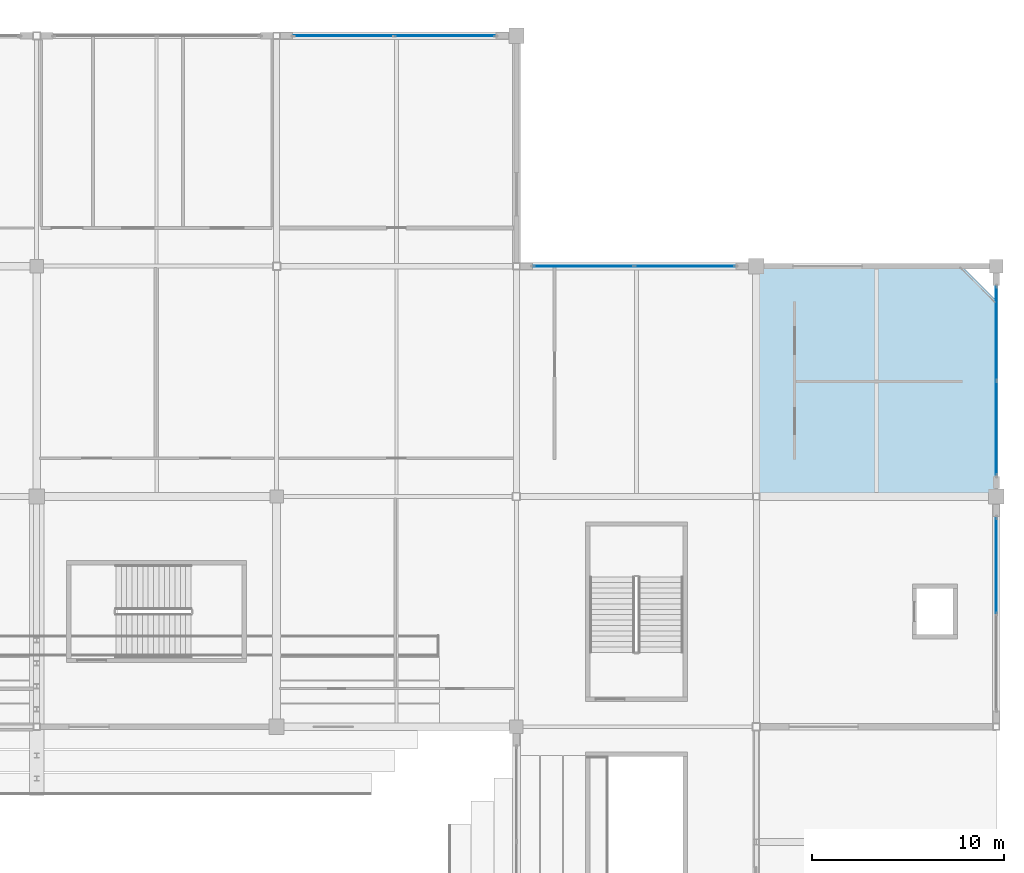
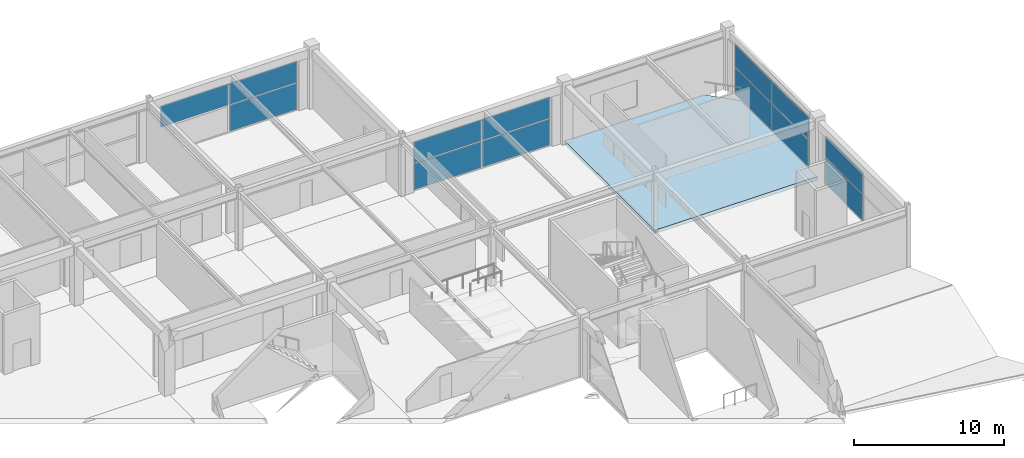
# One storey, part 75 of 128: 13 plates, 1 slab, 4 elements without a shape of their own.
"""IFC4 building model written with IfcOpenShell, lengths in metres."""

import ifcopenshell
import ifcopenshell.guid

model = None  # the IFC model being written
_history = None  # IfcOwnerHistory: only IFC2X3 demands one
_inside = {}  # id of a spatial element -> (the spatial element, [elements in it])
_under = {}  # id of a project, library or spatial element -> (it, [spatial elements below it])
_declared = {}  # id of a project -> (the project, [libraries it declares])
_typed = {}  # id of a type object -> (the type object, [elements of that type])
_made_of = {}  # id of a material, layer set ... -> (it, [elements and type objects made of it])


def new_model(schema):
    """Start an empty IFC model of exactly this schema.

    Asked for "IFC4X3", IfcOpenShell would pick the latest addendum, in which some entities
    have other attributes; the version numbers below select the first issue.
    IFC2X3 requires an IfcOwnerHistory on every rooted entity: one is made here for all.
    """
    global model, _history
    if schema == "IFC4X3":
        model = ifcopenshell.file(schema_version=(4, 3, 0, 0))
    else:
        model = ifcopenshell.file(schema=schema)
    _inside.clear()
    _under.clear()
    _declared.clear()
    _typed.clear()
    _made_of.clear()
    _history = None
    if model.schema == "IFC2X3":
        org = make("IfcOrganization", Name="unknown")
        user = make(
            "IfcPersonAndOrganization",
            ThePerson=make("IfcPerson", FamilyName="unknown"),
            TheOrganization=org,
        )
        app = make(
            "IfcApplication",
            ApplicationDeveloper=org,
            Version="unknown",
            ApplicationFullName="unknown",
            ApplicationIdentifier="unknown",
        )
        _history = make(
            "IfcOwnerHistory",
            OwningUser=user,
            OwningApplication=app,
            ChangeAction="ADDED",
            CreationDate=0,
        )
    return model


def make(cls, **values):
    """One entity of the class cls with the attributes given. An attribute that is None is left unset."""
    return model.create_entity(
        cls, **{name: value for name, value in values.items() if value is not None}
    )


def rooted(cls, **values):
    """An entity with a GlobalId (a new one), such as an element, a storey or a relation."""
    return make(cls, GlobalId=ifcopenshell.guid.new(), OwnerHistory=_history, **values)


def si_unit(unit_type, name, prefix=None):
    """IfcSIUnit, for example si_unit("LENGTHUNIT", "METRE", prefix="MILLI")."""
    return make("IfcSIUnit", UnitType=unit_type, Prefix=prefix, Name=name)


def assignment(units):
    """IfcUnitAssignment: the units of a project."""
    return None if units is None else make("IfcUnitAssignment", Units=units)


def point(xyz):
    """IfcCartesianPoint."""
    return None if xyz is None else make("IfcCartesianPoint", Coordinates=xyz)


def direction(xyz):
    """IfcDirection."""
    return None if xyz is None else make("IfcDirection", DirectionRatios=xyz)


def frame(location, z_axis=None, x_axis=None):
    """IfcAxis2Placement3D, a coordinate frame: its origin and axes. An axis left out is left unset."""
    return make(
        "IfcAxis2Placement3D",
        Location=point(location),
        Axis=direction(z_axis),
        RefDirection=direction(x_axis),
    )


def frame_2d(location, x_axis=None):
    """IfcAxis2Placement2D, a coordinate frame in the plane: its origin and x axis."""
    return make(
        "IfcAxis2Placement2D", Location=point(location), RefDirection=direction(x_axis)
    )


def origin():
    """The frame at (0, 0, 0) with its axes left unset."""
    return frame((0.0, 0.0, 0.0))


def origin_2d():
    """The frame at (0, 0) in the plane with its x axis left unset."""
    return frame_2d((0.0, 0.0))


def place(relative_to, where):
    """IfcLocalPlacement: puts the frame where relative to a parent placement (None: the world)."""
    return make(
        "IfcLocalPlacement", PlacementRelTo=relative_to, RelativePlacement=where
    )


def context(
    kind, dimensions, precision=None, world=None, true_north=None, identifier=None
):
    """IfcGeometricRepresentationContext, for example the 3D "Model" context."""
    return make(
        "IfcGeometricRepresentationContext",
        ContextIdentifier=identifier,
        ContextType=kind,
        CoordinateSpaceDimension=dimensions,
        Precision=precision,
        WorldCoordinateSystem=world,
        TrueNorth=true_north,
    )


def subcontext(parent, identifier, kind, view, scale=None):
    """IfcGeometricRepresentationSubContext, for example "Body" below "Model"."""
    return make(
        "IfcGeometricRepresentationSubContext",
        ContextIdentifier=identifier,
        ContextType=kind,
        ParentContext=parent,
        TargetScale=scale,
        TargetView=view,
    )


def project(units=None, contexts=None):
    """IfcProject with its units and contexts."""
    return rooted(
        "IfcProject",
        Name="project",
        RepresentationContexts=contexts,
        UnitsInContext=assignment(units),
    )


def spatial(cls, under=None, at=None, **own):
    """A site, building, storey or space (cls), placed at a placement, below another one or the project."""
    s = rooted(cls, ObjectPlacement=at, **own)
    if under is not None:
        _under.setdefault(under.id(), (under, []))[1].append(s)
    return s


def polyline(points):
    """IfcPolyline through the points."""
    return make("IfcPolyline", Points=[point(p) for p in points])


def profile(cls, at=None, kind="AREA", **sizes):
    """A parametric profile (cls). Its sizes go by their IFC names, for example OverallWidth=200.0."""
    return make(cls, ProfileType=kind, Position=at, **sizes)


def rectangle(**sizes):
    """IfcRectangleProfileDef."""
    return profile("IfcRectangleProfileDef", **sizes)


def outline(outer, holes=None, kind="AREA"):
    """IfcArbitraryClosedProfileDef: a profile drawn as a closed curve; with holes, ...WithVoids."""
    if holes is None:
        return make("IfcArbitraryClosedProfileDef", ProfileType=kind, OuterCurve=outer)
    return make(
        "IfcArbitraryProfileDefWithVoids",
        ProfileType=kind,
        OuterCurve=outer,
        InnerCurves=holes,
    )


def extrude(swept, where, along, depth):
    """IfcExtrudedAreaSolid: the profile swept, set in the frame where, extruded along a direction by depth."""
    return make(
        "IfcExtrudedAreaSolid",
        SweptArea=swept,
        Position=where,
        ExtrudedDirection=direction(along),
        Depth=depth,
    )


def shape(context_of_items, identifier, shape_type, items):
    """IfcShapeRepresentation: the items that make up one representation, for example the "Body"."""
    return make(
        "IfcShapeRepresentation",
        ContextOfItems=context_of_items,
        RepresentationIdentifier=identifier,
        RepresentationType=shape_type,
        Items=items,
    )


def material(Name=None, Category=None):
    """IfcMaterial."""
    return make("IfcMaterial", Name=Name, Category=Category)


def layer(
    of_material, thickness, ventilated=None, Name=None, Category=None, Priority=None
):
    """IfcMaterialLayer: one layer of a wall or slab, of a material (None: an air gap)."""
    return make(
        "IfcMaterialLayer",
        Material=of_material,
        LayerThickness=thickness,
        IsVentilated=ventilated,
        Name=Name,
        Category=Category,
        Priority=Priority,
    )


def layer_set(layers, Name=None):
    """IfcMaterialLayerSet."""
    return make("IfcMaterialLayerSet", MaterialLayers=layers, LayerSetName=Name)


def made_of(thing, what):
    """Note that an element or type object is made of a material, layer set ...; save() writes the relation."""
    if what is not None:
        _made_of.setdefault(what.id(), (what, []))[1].append(thing)
    return thing


def type_object(cls, material=None, **own):
    """A type object (cls), such as IfcWallType, which elements share."""
    return made_of(rooted(cls, **own), material)


def element(
    cls,
    number,
    at=None,
    inside=None,
    cuts=None,
    type_object=None,
    material=None,
    context=None,
    identifier="Body",
    shape_type=None,
    held_by="IfcProductDefinitionShape",
    body=None,
    shapes=None,
    **own,
):
    """One element of the class cls, such as IfcWall. Its Tag is "e" and its number.

    at: its placement. inside: the storey or other place that contains it. cuts: it is an
    opening in that element (IfcRelVoidsElement). A single representation is given by context,
    identifier, shape_type and body (its items); several are given by shapes. held_by: the class
    of the entity that holds the representations. save() writes the other relations.
    """
    e = rooted(cls, Tag="e%d" % number, ObjectPlacement=at, **own)
    if body is not None:
        shapes = [shape(context, identifier, shape_type, body)]
    if shapes is not None:
        e.Representation = make(held_by, Representations=shapes)
    if inside is not None:
        _inside.setdefault(inside.id(), (inside, []))[1].append(e)
    if cuts is not None:
        rooted(
            "IfcRelVoidsElement", RelatingBuildingElement=cuts, RelatedOpeningElement=e
        )
    if type_object is not None:
        _typed.setdefault(type_object.id(), (type_object, []))[1].append(e)
    return made_of(e, material)


def aggregate(whole, parts):
    """IfcRelAggregates: a whole, such as a stair, and the parts it consists of."""
    return rooted("IfcRelAggregates", RelatingObject=whole, RelatedObjects=parts)


def save(model, path):
    """Write the relations noted so far, then the file.

    IfcRelAggregates (storeys below a building ...), IfcRelContainedInSpatialStructure (elements
    in a storey), IfcRelDefinesByType, IfcRelAssociatesMaterial and IfcRelDeclares: one each for
    every whole, place, type object, material and project.
    """
    for whole, parts in _under.values():
        aggregate(whole, parts)
    for where, things in _inside.values():
        rooted(
            "IfcRelContainedInSpatialStructure",
            RelatedElements=things,
            RelatingStructure=where,
        )
    for kind, things in _typed.values():
        rooted("IfcRelDefinesByType", RelatedObjects=things, RelatingType=kind)
    for what, things in _made_of.values():
        rooted("IfcRelAssociatesMaterial", RelatedObjects=things, RelatingMaterial=what)
    for by, libraries in _declared.values():
        rooted("IfcRelDeclares", RelatingContext=by, RelatedDefinitions=libraries)
    model.write(path)


model = new_model("IFC4")

# Units and contexts
model_context = context("Model", 3, precision=1e-05, world=origin(), true_north=direction((0.0, 1.0)))
body_context = subcontext(model_context, "Body", "Model", "MODEL_VIEW")
ifc_project = project(units=[si_unit("LENGTHUNIT", "METRE"), si_unit("AREAUNIT", "SQUARE_METRE"), si_unit("VOLUMEUNIT", "CUBIC_METRE"), si_unit("PLANEANGLEUNIT", "RADIAN"), si_unit("MASSUNIT", "GRAM", prefix="KILO")], contexts=[model_context])

# Site, building, storey
site_placement = place(None, origin())
site = spatial("IfcSite", under=ifc_project, at=site_placement, CompositionType="ELEMENT")
building_placement = place(site_placement, origin())
building = spatial("IfcBuilding", under=site, at=building_placement, Name="Kazenohara Klinker Stadium", CompositionType="ELEMENT")
storey_placement = place(building_placement, frame((0.0, 0.0, 15.300048828125)))
storey = spatial("IfcBuildingStorey", under=building, at=storey_placement, Name="L03", CompositionType="ELEMENT", Elevation=15.300048828125)

# Curtain wall, plates
ifc_material_1 = material(Name="Anodised aluminium and triple glazing", Category="aluminium")
ifc_layer_1 = layer(ifc_material_1, 0.169921875)
ifc_layer_set_1 = layer_set([ifc_layer_1], Name="Anodised aluminium and triple glazing")
curtain_wall_type_1 = type_object("IfcCurtainWallType", Name="CW-SYS-04", PredefinedType="USERDEFINED", material=ifc_layer_set_1)
curtain_wall_1_placement = place(storey_placement, origin())
curtain_wall_1 = element("IfcCurtainWall", 1, at=curtain_wall_1_placement, inside=storey, type_object=curtain_wall_type_1, Name="Unitised facade curtain wall CW04 L03 X13-14", ObjectType="UNITISED CURTAIN WALL", PredefinedType="USERDEFINED")
ifc_material_2 = material(Name="Low-e laminated triple glazing", Category="glass")
ifc_layer_2 = layer(ifc_material_2, 0.0439453125)
ifc_layer_set_2 = layer_set([ifc_layer_2], Name="Low-e laminated triple glazing")
plate_type = type_object("IfcPlateType", Name="CW-PNL-44", PredefinedType="CURTAIN_PANEL", material=ifc_layer_set_2)
plate_1_placement = place(storey_placement, frame((166.001953125, 168.0, 2.2705078125), z_axis=(0.0, 0.0, 1.0), x_axis=(1.0, 0.0, 0.0)))
plate_1 = element("IfcPlate", 2, at=plate_1_placement, type_object=plate_type, Name="CW04 panel 1.2", PredefinedType="CURTAIN_PANEL", context=body_context, shape_type="SweptSolid", body=[
    extrude(rectangle(XDim=5.196044921875, YDim=0.0439453125, at=origin_2d()), origin(), (0.0, 0.0, 1.0), 1.714599609375),
])
plate_2_placement = place(storey_placement, frame((171.27294921875, 168.0, 0.074951171875), z_axis=(0.0, 0.0, 1.0), x_axis=(1.0, 0.0, 0.0)))
plate_2 = element("IfcPlate", 3, at=plate_2_placement, type_object=plate_type, Name="CW04 panel 2.1", PredefinedType="CURTAIN_PANEL", context=body_context, shape_type="SweptSolid", body=[
    extrude(rectangle(XDim=5.196044921875, YDim=0.0439453125, at=origin_2d()), origin(), (0.0, 0.0, 1.0), 2.12060546875),
])
plate_3_placement = place(storey_placement, frame((171.27294921875, 168.0, 2.2705078125), z_axis=(0.0, 0.0, 1.0), x_axis=(1.0, 0.0, 0.0)))
plate_3 = element("IfcPlate", 4, at=plate_3_placement, type_object=plate_type, Name="CW04 panel 2.2", PredefinedType="CURTAIN_PANEL", context=body_context, shape_type="SweptSolid", body=[
    extrude(rectangle(XDim=5.196044921875, YDim=0.0439453125, at=origin_2d()), origin(), (0.0, 0.0, 1.0), 1.714599609375),
])
aggregate(curtain_wall_1, [plate_1, plate_2, plate_3])

ifc_layer_3 = layer(ifc_material_1, 0.199951171875)
ifc_layer_set_3 = layer_set([ifc_layer_3], Name="Anodised aluminium and triple glazing")
curtain_wall_type_2 = type_object("IfcCurtainWallType", Name="CW-SYS-03", PredefinedType="USERDEFINED", material=ifc_layer_set_3)
curtain_wall_2_placement = place(storey_placement, origin())
curtain_wall_2 = element("IfcCurtainWall", 5, at=curtain_wall_2_placement, inside=storey, type_object=curtain_wall_type_2, Name="Unitised facade curtain wall CW03 L03 X14-13", ObjectType="UNITISED CURTAIN WALL", PredefinedType="USERDEFINED")
plate_4_placement = place(storey_placement, frame((178.501953125, 156.0, 0.074951171875), z_axis=(0.0, 0.0, 1.0), x_axis=(1.0, 0.0, 0.0)))
plate_4 = element("IfcPlate", 6, at=plate_4_placement, type_object=plate_type, Name="CW03 panel 1.1", PredefinedType="CURTAIN_PANEL", context=body_context, shape_type="SweptSolid", body=[
    extrude(rectangle(XDim=5.196044921875, YDim=0.0439453125, at=origin_2d()), origin(), (0.0, 0.0, 1.0), 2.12060546875),
])
plate_5_placement = place(storey_placement, frame((178.501953125, 156.0, 2.2705078125), z_axis=(0.0, 0.0, 1.0), x_axis=(1.0, 0.0, 0.0)))
plate_5 = element("IfcPlate", 7, at=plate_5_placement, type_object=plate_type, Name="CW03 panel 1.2", PredefinedType="CURTAIN_PANEL", context=body_context, shape_type="SweptSolid", body=[
    extrude(rectangle(XDim=5.196044921875, YDim=0.0439453125, at=origin_2d()), origin(), (0.0, 0.0, 1.0), 1.714599609375),
])
plate_6_placement = place(storey_placement, frame((183.77294921875, 156.0, 0.074951171875), z_axis=(0.0, 0.0, 1.0), x_axis=(1.0, 0.0, 0.0)))
plate_6 = element("IfcPlate", 8, at=plate_6_placement, type_object=plate_type, Name="CW03 panel 2.1", PredefinedType="CURTAIN_PANEL", context=body_context, shape_type="SweptSolid", body=[
    extrude(rectangle(XDim=5.196044921875, YDim=0.0439453125, at=origin_2d()), origin(), (0.0, 0.0, 1.0), 2.12060546875),
])
plate_7_placement = place(storey_placement, frame((183.77294921875, 156.0, 2.2705078125), z_axis=(0.0, 0.0, 1.0), x_axis=(1.0, 0.0, 0.0)))
plate_7 = element("IfcPlate", 9, at=plate_7_placement, type_object=plate_type, Name="CW03 panel 2.2", PredefinedType="CURTAIN_PANEL", context=body_context, shape_type="SweptSolid", body=[
    extrude(rectangle(XDim=5.196044921875, YDim=0.0439453125, at=origin_2d()), origin(), (0.0, 0.0, 1.0), 1.714599609375),
])
aggregate(curtain_wall_2, [plate_4, plate_5, plate_6, plate_7])

curtain_wall_3_placement = place(storey_placement, origin())
curtain_wall_3 = element("IfcCurtainWall", 10, at=curtain_wall_3_placement, inside=storey, type_object=curtain_wall_type_1, Name="Unitised facade curtain wall CW04 L03 Y16-11", ObjectType="UNITISED CURTAIN WALL", PredefinedType="USERDEFINED")
plate_8_placement = place(storey_placement, frame((200.0, 140.39794921875, 0.074951171875), z_axis=(0.0, 0.0, 1.0), x_axis=(0.0, 1.0, 0.0)))
plate_8 = element("IfcPlate", 11, at=plate_8_placement, type_object=plate_type, Name="CW04 panel 2.1", PredefinedType="CURTAIN_PANEL", context=body_context, shape_type="SweptSolid", body=[
    extrude(rectangle(XDim=4.946044921875, YDim=0.0439453125, at=origin_2d()), origin(), (0.0, 0.0, 1.0), 2.12060546875),
])
plate_9_placement = place(storey_placement, frame((200.0, 140.39794921875, 2.2705078125), z_axis=(0.0, 0.0, 1.0), x_axis=(0.0, 1.0, 0.0)))
plate_9 = element("IfcPlate", 12, at=plate_9_placement, type_object=plate_type, Name="CW04 panel 2.2", PredefinedType="CURTAIN_PANEL", context=body_context, shape_type="SweptSolid", body=[
    extrude(rectangle(XDim=4.946044921875, YDim=0.0439453125, at=origin_2d()), origin(), (0.0, 0.0, 1.0), 1.714599609375),
])
aggregate(curtain_wall_3, [plate_8, plate_9])

ifc_layer_4 = layer(ifc_material_1, 0.18994140625)
ifc_layer_set_4 = layer_set([ifc_layer_4], Name="Anodised aluminium and triple glazing")
curtain_wall_type_3 = type_object("IfcCurtainWallType", Name="CW-SYS-05", PredefinedType="USERDEFINED", material=ifc_layer_set_4)
curtain_wall_4_placement = place(storey_placement, origin())
curtain_wall_4 = element("IfcCurtainWall", 13, at=curtain_wall_4_placement, inside=storey, type_object=curtain_wall_type_3, Name="Unitised facade curtain wall CW05 L03 Y16-12", ObjectType="UNITISED CURTAIN WALL", PredefinedType="USERDEFINED")
plate_10_placement = place(storey_placement, frame((200.0, 147.558349609375, 0.07470703125), z_axis=(0.0, 0.0, 1.0), x_axis=(0.0, 1.0, 0.0)))
plate_10 = element("IfcPlate", 14, at=plate_10_placement, type_object=plate_type, Name="CW05 panel 1.1", PredefinedType="CURTAIN_PANEL", context=body_context, shape_type="SweptSolid", body=[
    extrude(rectangle(XDim=4.8583984375, YDim=0.0439453125, at=origin_2d()), origin(), (0.0, 0.0, 1.0), 2.175537109375),
])
plate_11_placement = place(storey_placement, frame((200.0, 147.558349609375, 2.32568359375), z_axis=(0.0, 0.0, 1.0), x_axis=(0.0, 1.0, 0.0)))
plate_11 = element("IfcPlate", 15, at=plate_11_placement, type_object=plate_type, Name="CW05 panel 1.2", PredefinedType="CURTAIN_PANEL", context=body_context, shape_type="SweptSolid", body=[
    extrude(rectangle(XDim=4.8583984375, YDim=0.0439453125, at=origin_2d()), origin(), (0.0, 0.0, 1.0), 1.759521484375),
])
plate_12_placement = place(storey_placement, frame((200.0, 152.49169921875, 0.07470703125), z_axis=(0.0, 0.0, 1.0), x_axis=(0.0, 1.0, 0.0)))
plate_12 = element("IfcPlate", 16, at=plate_12_placement, type_object=plate_type, Name="CW05 panel 2.1", PredefinedType="CURTAIN_PANEL", context=body_context, shape_type="SweptSolid", body=[
    extrude(rectangle(XDim=4.8583984375, YDim=0.0439453125, at=origin_2d()), origin(), (0.0, 0.0, 1.0), 2.175537109375),
])
plate_13_placement = place(storey_placement, frame((200.0, 152.49169921875, 2.32568359375), z_axis=(0.0, 0.0, 1.0), x_axis=(0.0, 1.0, 0.0)))
plate_13 = element("IfcPlate", 17, at=plate_13_placement, type_object=plate_type, Name="CW05 panel 2.2", PredefinedType="CURTAIN_PANEL", context=body_context, shape_type="SweptSolid", body=[
    extrude(rectangle(XDim=4.8583984375, YDim=0.0439453125, at=origin_2d()), origin(), (0.0, 0.0, 1.0), 1.759521484375),
])
aggregate(curtain_wall_4, [plate_10, plate_11, plate_12, plate_13])

# Slab
ifc_material_3 = material(Name="Concrete C40/50", Category="concrete")
ifc_layer_5 = layer(ifc_material_3, 0.280029296875)
ifc_layer_set_5 = layer_set([ifc_layer_5], Name="Concrete C40/50")
slab_type = type_object("IfcSlabType", Name="SLB-FLR-280", PredefinedType="FLOOR", material=ifc_layer_set_5)
slab_placement = place(storey_placement, frame((0.0, 0.0, -0.280029296875)))
element("IfcSlab", 18, at=slab_placement, inside=storey, type_object=slab_type, Name="Floor slab FS04 L03 16/N", PredefinedType="FLOOR", context=body_context, shape_type="SweptSolid", body=[
    extrude(outline(polyline([(187.5, 144.0), (200.0, 144.0), (200.0, 154.199951171875), (198.199951171875, 156.0), (187.5, 156.0), (187.5, 144.0)])), origin(), (0.0, 0.0, 1.0), 0.280029296875),
])

save(model, "model.ifc")
